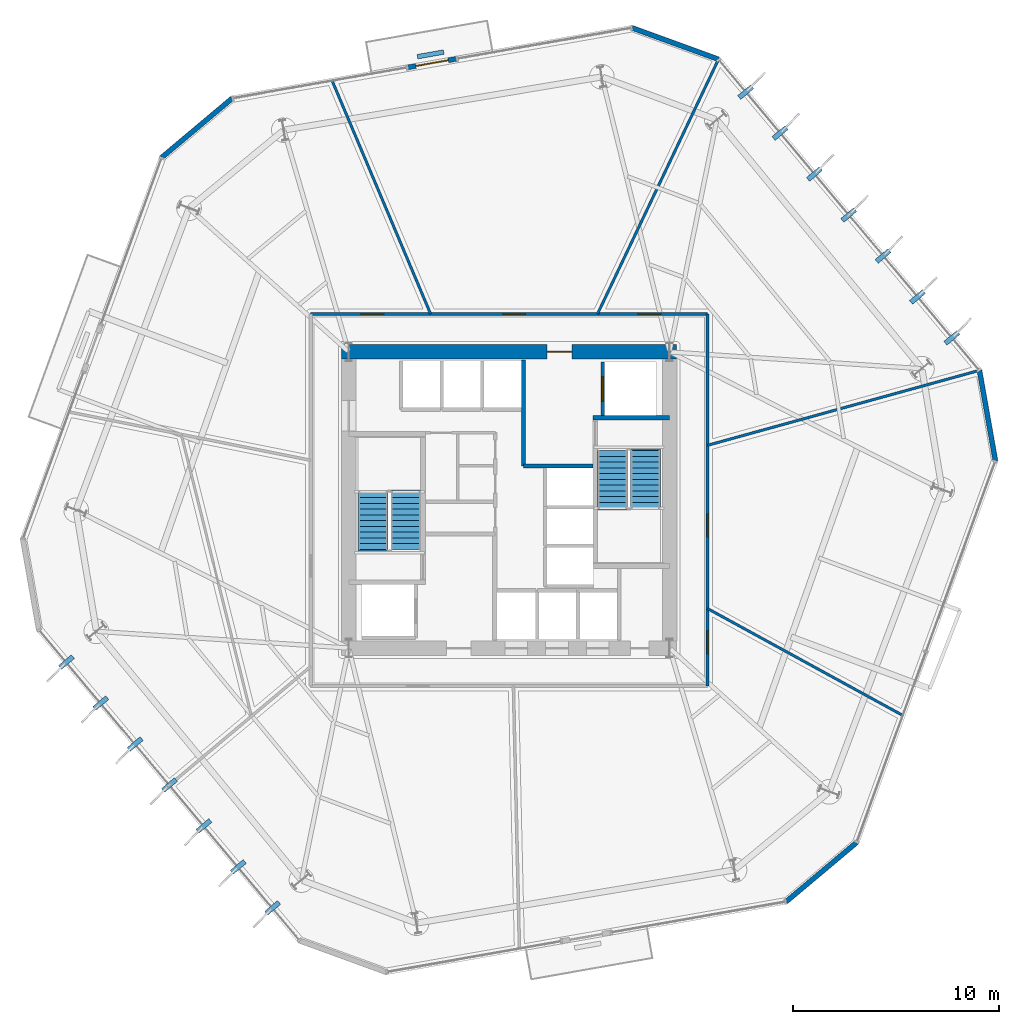
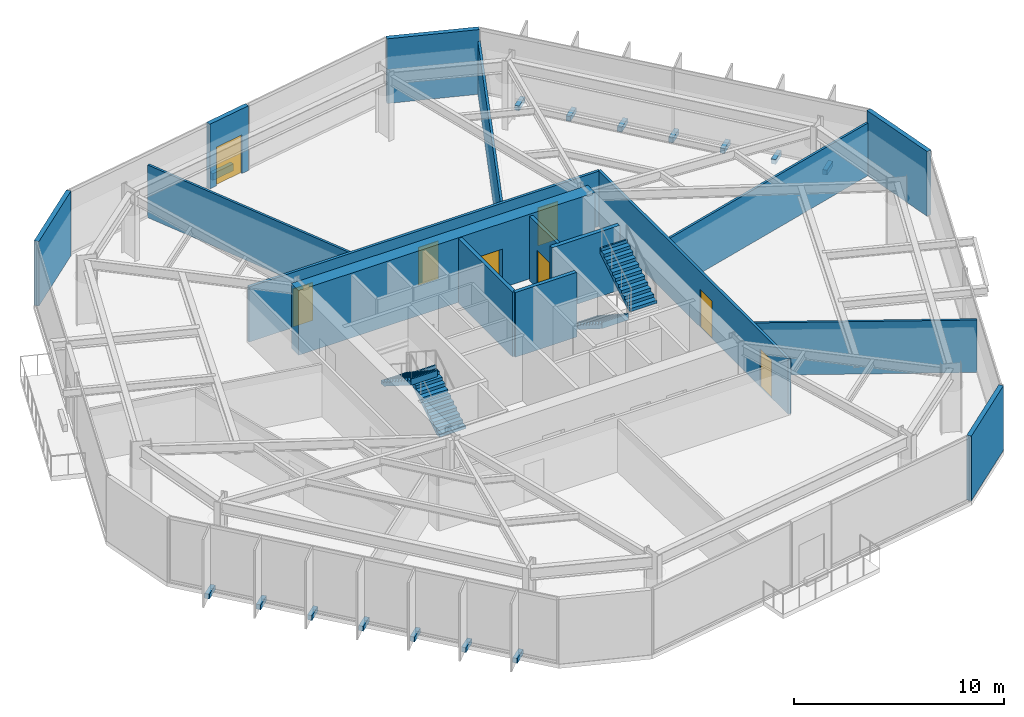
# One storey, part 7 of 10: 17 walls, 14 discrete accessories, 8 doors, 4 stair flights, 8 openings, 2 elements without a shape of their own.
"""IFC4 building model written with IfcOpenShell, lengths in metres."""

from ifc_helpers import new_model, si_unit, direction, frame, frame_2d, origin, origin_2d, place, context, subcontext, project, spatial, polyline, rectangle, outline, extrude, material, layer, layer_set, type_object, element, fill, aggregate, save


model = new_model("IFC4")

# Units and contexts
model_context = context("Model", 3, precision=1e-05, world=origin(), true_north=direction((0.0, 1.0)))
body_context = subcontext(model_context, "Body", "Model", "MODEL_VIEW")
ifc_project = project(units=[si_unit("LENGTHUNIT", "METRE"), si_unit("AREAUNIT", "SQUARE_METRE"), si_unit("VOLUMEUNIT", "CUBIC_METRE"), si_unit("PLANEANGLEUNIT", "RADIAN"), si_unit("MASSUNIT", "GRAM", prefix="KILO")], contexts=[model_context])

# Site, building, storey
site_placement = place(None, origin())
site = spatial("IfcSite", under=ifc_project, at=site_placement, CompositionType="ELEMENT")
building_placement = place(site_placement, origin())
building = spatial("IfcBuilding", under=site, at=building_placement, Name="Kranzbogen Civic Tower", CompositionType="ELEMENT")
storey_placement = place(building_placement, frame((0.0, 0.0, 60.0)))
storey = spatial("IfcBuildingStorey", under=building, at=storey_placement, Name="L14", CompositionType="ELEMENT", Elevation=60.0)

# Wall, openings, doors
ifc_material_1 = material(Name="Double-Stud Acoustic Gypsum Partition")
ifc_layer_1 = layer(ifc_material_1, 0.14990234375, Name="Double-Stud Acoustic Gypsum Partition")
ifc_layer_set_1 = layer_set([ifc_layer_1], Name="Double-Stud Acoustic Gypsum Partition")
wall_type_1 = type_object("IfcWallType", Name="Acoustic Corridor and Clinical Partition 150 mm", PredefinedType="PARTITIONING", material=ifc_layer_set_1)
wall_1_placement = place(storey_placement, frame((15.35009765625, 34.050048828125, 0.0), z_axis=(0.0, 0.0, 1.0), x_axis=(1.0, 0.0, 0.0)))
wall_1 = element("IfcWall", 1, at=wall_1_placement, inside=storey, type_object=wall_type_1, Name="L14 corridor partition 01", PredefinedType="PARTITIONING", context=body_context, shape_type="SweptSolid", body=[
    extrude(rectangle(XDim=19.2998046875, YDim=0.14990234375, at=frame_2d((9.64990234375, 0.0))), origin(), (0.0, 0.0, 1.0), 3.2099609375),
])
opening_1_placement = place(wall_1_placement, frame((15.909912109375, 0.0, 0.0)))
opening_1 = element("IfcOpeningElement", 2, at=opening_1_placement, cuts=wall_1, Name="Opening D-COR60", PredefinedType="OPENING", context=body_context, shape_type="SweptSolid", body=[
    extrude(rectangle(XDim=1.10009765625, YDim=2.199951171875, at=frame_2d((0.550048828125, 1.10009765625))), frame((0.0, 0.0849609375, 0.0), z_axis=(0.0, -1.0, 0.0), x_axis=(1.0, 0.0, 0.0)), (0.0, 0.0, 1.0), 0.169921875),
])
opening_2_placement = place(wall_1_placement, frame((9.342041015625, 0.0, 0.0)))
opening_2 = element("IfcOpeningElement", 3, at=opening_2_placement, cuts=wall_1, Name="Opening D-COR60", PredefinedType="OPENING", context=body_context, shape_type="SweptSolid", body=[
    extrude(rectangle(XDim=1.10009765625, YDim=2.199951171875, at=frame_2d((0.550048828125, 1.10009765625))), frame((0.0, 0.0849609375, 0.0), z_axis=(0.0, -1.0, 0.0), x_axis=(1.0, 0.0, 0.0)), (0.0, 0.0, 1.0), 0.169921875),
])
opening_3_placement = place(wall_1_placement, frame((2.444091796875, 0.0, 0.0)))
opening_3 = element("IfcOpeningElement", 4, at=opening_3_placement, cuts=wall_1, Name="Opening D-COR60", PredefinedType="OPENING", context=body_context, shape_type="SweptSolid", body=[
    extrude(rectangle(XDim=1.10009765625, YDim=2.199951171875, at=frame_2d((0.550048828125, 1.10009765625))), frame((0.0, 0.0849609375, 0.0), z_axis=(0.0, -1.0, 0.0), x_axis=(1.0, 0.0, 0.0)), (0.0, 0.0, 1.0), 0.169921875),
])
ifc_material_2 = material(Name="Oak Timber and Fire Core", Category="wood")
door_type_1 = type_object("IfcDoorType", Name="Corridor Acoustic Fire Door 1100x2200", OperationType="NOTDEFINED", PredefinedType="DOOR", material=ifc_material_2)
door_1_placement = place(opening_1_placement, origin())
door_1 = element("IfcDoor", 5, at=door_1_placement, inside=storey, type_object=door_type_1, Name="L14 Refreshment Galley Pantry door", OperationType="SINGLE_SWING_LEFT", OverallHeight=2.199951171875, OverallWidth=1.10009765625, PredefinedType="DOOR", context=body_context, shape_type="SweptSolid", body=[
    extrude(rectangle(XDim=1.10009765625, YDim=2.199951171875, at=frame_2d((0.550048828125, 1.10009765625))), frame((0.0, 0.02490234375, 0.0), z_axis=(0.0, -1.0, 0.0), x_axis=(1.0, 0.0, 0.0)), (0.0, 0.0, 1.0), 0.050048828125),
])
fill(opening_1, door_1)
door_2_placement = place(opening_2_placement, origin())
door_2 = element("IfcDoor", 6, at=door_2_placement, inside=storey, type_object=door_type_1, Name="L14 Operations Security Control Room door", OperationType="SINGLE_SWING_RIGHT", OverallHeight=2.199951171875, OverallWidth=1.10009765625, PredefinedType="DOOR", context=body_context, shape_type="SweptSolid", body=[
    extrude(rectangle(XDim=1.10009765625, YDim=2.199951171875, at=frame_2d((0.550048828125, 1.10009765625))), frame((0.0, 0.02490234375, 0.0), z_axis=(0.0, -1.0, 0.0), x_axis=(1.0, 0.0, 0.0)), (0.0, 0.0, 1.0), 0.050048828125),
])
fill(opening_2, door_2)
door_3_placement = place(opening_3_placement, origin())
door_3 = element("IfcDoor", 7, at=door_3_placement, inside=storey, type_object=door_type_1, Name="L14 Citizen Services Kiosk door", OperationType="SINGLE_SWING_LEFT", OverallHeight=2.199951171875, OverallWidth=1.10009765625, PredefinedType="DOOR", context=body_context, shape_type="SweptSolid", body=[
    extrude(rectangle(XDim=1.10009765625, YDim=2.199951171875, at=frame_2d((0.550048828125, 1.10009765625))), frame((0.0, 0.02490234375, 0.0), z_axis=(0.0, -1.0, 0.0), x_axis=(1.0, 0.0, 0.0)), (0.0, 0.0, 1.0), 0.050048828125),
])
fill(opening_3, door_3)

wall_2_placement = place(storey_placement, frame((34.64990234375, 34.050048828125, 0.0), z_axis=(0.0, 0.0, 1.0), x_axis=(0.0, -1.0, 0.0)))
wall_2 = element("IfcWall", 8, at=wall_2_placement, inside=storey, type_object=wall_type_1, Name="L14 corridor partition 02", PredefinedType="PARTITIONING", context=body_context, shape_type="SweptSolid", body=[
    extrude(rectangle(XDim=18.10009765625, YDim=0.14990234375, at=frame_2d((9.050048828125, 0.0))), origin(), (0.0, 0.0, 1.0), 3.2099609375),
])
opening_4_placement = place(wall_2_placement, frame((15.4150390625, 0.0, 0.0)))
opening_4 = element("IfcOpeningElement", 9, at=opening_4_placement, cuts=wall_2, Name="Opening D-COR60", PredefinedType="OPENING", context=body_context, shape_type="SweptSolid", body=[
    extrude(rectangle(XDim=1.10009765625, YDim=2.199951171875, at=frame_2d((0.550048828125, 1.10009765625))), frame((0.0, 0.0849609375, 0.0), z_axis=(0.0, -1.0, 0.0), x_axis=(1.0, 0.0, 0.0)), (0.0, 0.0, 1.0), 0.169921875),
])
opening_5_placement = place(wall_2_placement, frame((9.73193359375, 0.0, 0.0)))
opening_5 = element("IfcOpeningElement", 10, at=opening_5_placement, cuts=wall_2, Name="Opening D-COR60", PredefinedType="OPENING", context=body_context, shape_type="SweptSolid", body=[
    extrude(rectangle(XDim=1.10009765625, YDim=2.199951171875, at=frame_2d((0.550048828125, 1.10009765625))), frame((0.0, 0.0849609375, 0.0), z_axis=(0.0, -1.0, 0.0), x_axis=(1.0, 0.0, 0.0)), (0.0, 0.0, 1.0), 0.169921875),
])
door_4_placement = place(opening_4_placement, origin())
door_4 = element("IfcDoor", 11, at=door_4_placement, inside=storey, type_object=door_type_1, Name="L14 Staff Tea Pantry door", OperationType="SINGLE_SWING_LEFT", OverallHeight=2.199951171875, OverallWidth=1.10009765625, PredefinedType="DOOR", context=body_context, shape_type="SweptSolid", body=[
    extrude(rectangle(XDim=1.10009765625, YDim=2.199951171875, at=frame_2d((0.550048828125, 1.10009765625))), frame((0.0, 0.02490234375, 0.0), z_axis=(0.0, -1.0, 0.0), x_axis=(1.0, 0.0, 0.0)), (0.0, 0.0, 1.0), 0.050048828125),
])
fill(opening_4, door_4)
door_5_placement = place(opening_5_placement, origin())
door_5 = element("IfcDoor", 12, at=door_5_placement, inside=storey, type_object=door_type_1, Name="L14 Hospitality Catering Kitchen door", OperationType="SINGLE_SWING_RIGHT", OverallHeight=2.199951171875, OverallWidth=1.10009765625, PredefinedType="DOOR", context=body_context, shape_type="SweptSolid", body=[
    extrude(rectangle(XDim=1.10009765625, YDim=2.199951171875, at=frame_2d((0.550048828125, 1.10009765625))), frame((0.0, 0.02490234375, 0.0), z_axis=(0.0, -1.0, 0.0), x_axis=(1.0, 0.0, 0.0)), (0.0, 0.0, 1.0), 0.050048828125),
])
fill(opening_5, door_5)

# Walls
ifc_material_3 = material(Name="Insulated Metal-Stud Gypsum Partition")
ifc_layer_2 = layer(ifc_material_3, 0.125, Name="Insulated Metal-Stud Gypsum Partition")
ifc_layer_set_2 = layer_set([ifc_layer_2], Name="Insulated Metal-Stud Gypsum Partition")
wall_type_2 = type_object("IfcWallType", Name="Acoustic Inter-Room Partition 125 mm", PredefinedType="PARTITIONING", material=ifc_layer_set_2)
wall_3_placement = place(storey_placement, frame((29.299072265625, 34.050048828125, 0.0), z_axis=(0.0, 0.0, 1.0), x_axis=(0.429120489577, 0.903247255974, 0.0)))
element("IfcWall", 13, at=wall_3_placement, inside=storey, type_object=wall_type_2, Name="L14 radial room partition 01", PredefinedType="PARTITIONING", context=body_context, shape_type="SweptSolid", body=[
    extrude(rectangle(XDim=13.686279296875, YDim=0.125, at=frame_2d((6.84326171875, 0.0))), origin(), (0.0, 0.0, 1.0), 3.06005859375),
])
wall_4_placement = place(storey_placement, frame((21.178955078125, 34.050048828125, 0.0), z_axis=(0.0, 0.0, 1.0), x_axis=(-0.388906837938, 0.921277087203, 0.0)))
element("IfcWall", 14, at=wall_4_placement, inside=storey, type_object=wall_type_2, Name="L14 radial room partition 02", PredefinedType="PARTITIONING", context=body_context, shape_type="SweptSolid", body=[
    extrude(rectangle(XDim=12.288330078125, YDim=0.125, at=frame_2d((6.14404296875, 0.0))), origin(), (0.0, 0.0, 1.0), 3.06005859375),
])
wall_5_placement = place(storey_placement, frame((34.64990234375, 19.718994140625, 0.0), z_axis=(0.0, 0.0, 1.0), x_axis=(0.877226333311, -0.480077035637, 0.0)))
element("IfcWall", 15, at=wall_5_placement, inside=storey, type_object=wall_type_2, Name="L14 radial room partition 06", PredefinedType="PARTITIONING", context=body_context, shape_type="SweptSolid", body=[
    extrude(rectangle(XDim=10.804443359375, YDim=0.125, at=frame_2d((5.40234375, 0.0))), origin(), (0.0, 0.0, 1.0), 3.050048828125),
])
wall_6_placement = place(storey_placement, frame((34.64990234375, 27.659912109375, 0.0), z_axis=(0.0, 0.0, 1.0), x_axis=(0.964045235062, 0.265738188362, 0.0)))
element("IfcWall", 16, at=wall_6_placement, inside=storey, type_object=wall_type_2, Name="L14 radial room partition 07", PredefinedType="PARTITIONING", context=body_context, shape_type="SweptSolid", body=[
    extrude(rectangle(XDim=13.694580078125, YDim=0.125, at=frame_2d((6.84716796875, 0.0))), origin(), (0.0, 0.0, 1.0), 3.06005859375),
])
ifc_material_4 = material(Name="Architectural Precast Terracotta Concrete C40/50", Category="masonry")
ifc_layer_3 = layer(ifc_material_4, 0.219970703125, Name="Architectural Precast Terracotta Concrete C40/50")
ifc_layer_set_3 = layer_set([ifc_layer_3], Name="Architectural Precast Terracotta Concrete C40/50")
wall_type_3 = type_object("IfcWallType", Name="Architectural Tree Planter Kerb Wall 220 mm", PredefinedType="USERDEFINED", material=ifc_layer_set_3)
wall_7_placement = place(storey_placement, frame((21.819091796875, 46.782958984375, 0.0), z_axis=(0.0, 0.0, 1.0), x_axis=(-0.98475896803, -0.173924624146, 0.0)))
element("IfcWall", 17, at=wall_7_placement, inside=storey, type_object=wall_type_3, Name="L14 landscaped tree balcony planter L14-TB2", ObjectType="PLANTER_WALL", PredefinedType="USERDEFINED", context=body_context, shape_type="SweptSolid", body=[
    extrude(rectangle(XDim=1.2998046875, YDim=0.219970703125, at=frame_2d((0.64990234375, 0.0))), origin(), (0.0, 0.0, 1.0), 0.39990234375),
])

# Wall, opening, door
ifc_material_5 = material(Name="Concrete C55/67", Category="concrete")
ifc_layer_4 = layer(ifc_material_5, 0.699951171875, Name="Concrete C55/67")
ifc_layer_set_4 = layer_set([ifc_layer_4], Name="Concrete C55/67")
wall_type_4 = type_object("IfcWallType", Name="Central Core Shear Wall 700 mm", PredefinedType="SHEAR", material=ifc_layer_set_4)
wall_8_placement = place(storey_placement, frame((33.14990234375, 32.199951171875, 0.0), z_axis=(0.0, 0.0, 1.0), x_axis=(-1.0, 0.0, 0.0)))
wall_8 = element("IfcWall", 18, at=wall_8_placement, inside=storey, type_object=wall_type_4, Name="L14 central core North shear wall", PredefinedType="SHEAR", context=body_context, shape_type="SweptSolid", body=[
    extrude(rectangle(XDim=16.2998046875, YDim=0.699951171875, at=frame_2d((8.14990234375, 0.0))), origin(), (0.0, 0.0, 1.0), 3.760009765625),
])
opening_6_placement = place(wall_8_placement, frame((5.10009765625, 0.0, 0.0)))
opening_6 = element("IfcOpeningElement", 19, at=opening_6_placement, cuts=wall_8, Name="Opening D-EX120", PredefinedType="OPENING", context=body_context, shape_type="SweptSolid", body=[
    extrude(rectangle(XDim=1.199951171875, YDim=2.25, at=frame_2d((0.60009765625, 1.125))), frame((0.0, 0.35986328125, 0.0), z_axis=(0.0, -1.0, 0.0), x_axis=(1.0, 0.0, 0.0)), (0.0, 0.0, 1.0), 0.719970703125),
])
ifc_material_6 = material(Name="Steel S355", Category="steel")
door_type_2 = type_object("IfcDoorType", Name="Exit Passageway Fire Door 1200x2250", OperationType="NOTDEFINED", PredefinedType="DOOR", material=ifc_material_6)
door_6_placement = place(opening_6_placement, origin())
door_6 = element("IfcDoor", 20, at=door_6_placement, inside=storey, type_object=door_type_2, Name="L14 East firefighting lobby corridor door", OperationType="SINGLE_SWING_RIGHT", OverallHeight=2.25, OverallWidth=1.199951171875, PredefinedType="DOOR", context=body_context, shape_type="SweptSolid", body=[
    extrude(rectangle(XDim=1.199951171875, YDim=2.25, at=frame_2d((0.60009765625, 1.125))), frame((0.0, 0.02490234375, 0.0), z_axis=(0.0, -1.0, 0.0), x_axis=(1.0, 0.0, 0.0)), (0.0, 0.0, 1.0), 0.050048828125),
])
fill(opening_6, door_6)

# Walls
ifc_material_7 = material(Name="Concrete C45/55", Category="concrete")
ifc_layer_5 = layer(ifc_material_7, 0.219970703125, Name="Concrete C45/55")
ifc_layer_set_5 = layer_set([ifc_layer_5], Name="Concrete C45/55")
wall_type_5 = type_object("IfcWallType", Name="Core Internal Stair Structural Wall 220 mm", PredefinedType="SOLIDWALL", material=ifc_layer_set_5)
wall_9_placement = place(storey_placement, frame((29.080078125, 29.010009765625, 0.0), z_axis=(0.0, 0.0, 1.0), x_axis=(1.0, 0.0, 0.0)))
element("IfcWall", 21, at=wall_9_placement, inside=storey, type_object=wall_type_5, Name="L14 ST-T2 North structural stair wall", PredefinedType="SOLIDWALL", context=body_context, shape_type="SweptSolid", body=[
    extrude(rectangle(XDim=3.719970703125, YDim=0.219970703125, at=frame_2d((1.85986328125, 0.0))), origin(), (0.0, 0.0, 1.0), 3.760009765625),
])
ifc_material_8 = material(Name="Gypsum Fireboard and Concrete Block", Category="concrete")
ifc_layer_6 = layer(ifc_material_8, 0.199951171875, Name="Gypsum Fireboard and Concrete Block")
ifc_layer_set_6 = layer_set([ifc_layer_6], Name="Gypsum Fireboard and Concrete Block")
wall_type_6 = type_object("IfcWallType", Name="Fire-Rated Exit Passageway and Stair Wall 200 mm", PredefinedType="PARTITIONING", material=ifc_layer_set_6)
wall_10_placement = place(storey_placement, frame((25.699951171875, 26.64990234375, 0.0), z_axis=(0.0, 0.0, 1.0), x_axis=(0.0, 1.0, 0.0)))
element("IfcWall", 22, at=wall_10_placement, inside=storey, type_object=wall_type_6, Name="L14 East firefighting lobby West wall", PredefinedType="PARTITIONING", context=body_context, shape_type="SweptSolid", body=[
    extrude(rectangle(XDim=5.150146484375, YDim=0.199951171875, at=frame_2d((2.5751953125, 0.0))), origin(), (0.0, 0.0, 1.0), 3.760009765625),
])
wall_11_placement = place(storey_placement, frame((25.699951171875, 26.64990234375, 0.0), z_axis=(0.0, 0.0, 1.0), x_axis=(1.0, 0.0, 0.0)))
element("IfcWall", 23, at=wall_11_placement, inside=storey, type_object=wall_type_6, Name="L14 East firefighting lobby South wall", PredefinedType="PARTITIONING", context=body_context, shape_type="SweptSolid", body=[
    extrude(rectangle(XDim=3.380126953125, YDim=0.199951171875, at=frame_2d((1.68994140625, 0.0))), origin(), (0.0, 0.0, 1.0), 3.760009765625),
])

# Wall, opening, door
ifc_material_9 = material(Name="Gypsum Fireboard Shaftliner")
ifc_layer_7 = layer(ifc_material_9, 0.175048828125, Name="Gypsum Fireboard Shaftliner")
ifc_layer_set_7 = layer_set([ifc_layer_7], Name="Gypsum Fireboard Shaftliner")
wall_type_7 = type_object("IfcWallType", Name="Fire-Rated Lift and Service Shaft Wall 175 mm", PredefinedType="PARTITIONING", material=ifc_layer_set_7)
wall_12_placement = place(storey_placement, frame((29.550048828125, 29.10009765625, 0.0), z_axis=(0.0, 0.0, 1.0), x_axis=(0.0, 1.0, 0.0)))
wall_12 = element("IfcWall", 24, at=wall_12_placement, inside=storey, type_object=wall_type_7, Name="L14 lift FF-02 landing wall", PredefinedType="PARTITIONING", context=body_context, shape_type="SweptSolid", body=[
    extrude(rectangle(XDim=2.599853515625, YDim=0.175048828125, at=frame_2d((1.2998046875, 0.0))), origin(), (0.0, 0.0, 1.0), 3.760009765625),
])
opening_7_placement = place(wall_12_placement, frame((0.699951171875, 0.0, 0.0)))
opening_7 = element("IfcOpeningElement", 25, at=opening_7_placement, cuts=wall_12, Name="Opening LD-FF-02", PredefinedType="OPENING", context=body_context, shape_type="SweptSolid", body=[
    extrude(rectangle(XDim=1.199951171875, YDim=2.199951171875, at=frame_2d((0.60009765625, 1.10009765625))), frame((0.0, 0.09765625, 0.0), z_axis=(0.0, -1.0, 0.0), x_axis=(1.0, 0.0, 0.0)), (0.0, 0.0, 1.0), 0.195068359375),
])
ifc_material_10 = material(Name="Pale Anodised Aluminium", Category="aluminium")
door_type_3 = type_object("IfcDoorType", Name="Firefighting and Stretcher Lift Sliding Landing Door 1200x2200", OperationType="DOUBLE_DOOR_SLIDING", PredefinedType="DOOR", material=ifc_material_10)
door_7_placement = place(opening_7_placement, origin())
door_7 = element("IfcDoor", 26, at=door_7_placement, inside=storey, type_object=door_type_3, Name="L14 lift FF-02 sliding landing door", OperationType="DOUBLE_DOOR_SLIDING", OverallHeight=2.199951171875, OverallWidth=1.199951171875, PredefinedType="DOOR", context=body_context, shape_type="SweptSolid", body=[
    extrude(rectangle(XDim=1.199951171875, YDim=2.199951171875, at=frame_2d((0.60009765625, 1.10009765625))), frame((0.0, 0.02490234375, 0.0), z_axis=(0.0, -1.0, 0.0), x_axis=(1.0, 0.0, 0.0)), (0.0, 0.0, 1.0), 0.050048828125),
])
fill(opening_7, door_7)

# Wall
ifc_layer_8 = layer(ifc_material_10, 0.239990234375, Name="Pale Anodised Aluminium")
ifc_layer_set_8 = layer_set([ifc_layer_8], Name="Pale Anodised Aluminium")
wall_type_8 = type_object("IfcWallType", Name="Insulated Aluminium Facade Portal Wall 240 mm", PredefinedType="STANDARD", material=ifc_layer_set_8)
wall_13_placement = place(storey_placement, frame((35.179931640625, 46.429931640625, 0.0), z_axis=(0.0, 0.0, 1.0), x_axis=(-0.939696189387, 0.342010338515, 0.0)))
element("IfcWall", 27, at=wall_13_placement, inside=storey, type_object=wall_type_8, Name="L14 chamfered corner facade spandrel 1", PredefinedType="STANDARD", context=body_context, shape_type="SweptSolid", body=[
    extrude(rectangle(XDim=4.4736328125, YDim=0.239990234375, at=frame_2d((2.23681640625, 0.0))), origin(), (0.0, 0.0, 1.0), 3.760009765625),
])

# Wall, opening, door
wall_14_placement = place(storey_placement, frame((22.43603515625, 46.4541015625, 0.0), z_axis=(0.0, 0.0, 1.0), x_axis=(-0.984796866145, -0.173709908848, 0.0)))
wall_14 = element("IfcWall", 28, at=wall_14_placement, inside=storey, type_object=wall_type_8, Name="L14 exterior entrance portal wall 1", PredefinedType="STANDARD", context=body_context, shape_type="SweptSolid", body=[
    extrude(rectangle(XDim=2.400390625, YDim=0.239990234375, at=frame_2d((1.2001953125, 0.0))), origin(), (0.0, 0.0, 1.0), 3.760009765625),
])
opening_8_placement = place(wall_14_placement, frame((0.39990234375, 0.0, 0.0)))
opening_8 = element("IfcOpeningElement", 29, at=opening_8_placement, cuts=wall_14, Name="Opening D-TER", PredefinedType="OPENING", context=body_context, shape_type="SweptSolid", body=[
    extrude(rectangle(XDim=1.60009765625, YDim=2.25, at=frame_2d((0.800048828125, 1.125))), frame((0.0, 0.1298828125, 0.0), z_axis=(0.0, -1.0, 0.0), x_axis=(1.0, 0.0, 0.0)), (0.0, 0.0, 1.0), 0.260009765625),
])
ifc_material_11 = material(Name="Anodised Bronze and Triple Glass", Category="glass")
door_type_4 = type_object("IfcDoorType", Name="Glazed Terrace and Balcony Double Door 1600x2250", OperationType="DOUBLE_DOOR_SINGLE_SWING", PredefinedType="DOOR", material=ifc_material_11)
door_8_placement = place(opening_8_placement, frame((1.60009765625, 0.0, 0.0), z_axis=(0.0, 0.0, 1.0), x_axis=(-1.0, 0.0, 0.0)))
door_8 = element("IfcDoor", 30, at=door_8_placement, inside=storey, type_object=door_type_4, Name="L14 tree balcony access door L14-TB2", OperationType="DOUBLE_DOOR_SINGLE_SWING", OverallHeight=2.25, OverallWidth=1.60009765625, PredefinedType="DOOR", context=body_context, shape_type="SweptSolid", body=[
    extrude(rectangle(XDim=1.60009765625, YDim=2.25, at=frame_2d((0.800048828125, 1.125))), frame((0.0, 0.02490234375, 0.0), z_axis=(0.0, -1.0, 0.0), x_axis=(1.0, 0.0, 0.0)), (0.0, 0.0, 1.0), 0.050048828125),
])
fill(opening_8, door_8)

# Walls
for number, where, z_axis, x_axis, name in (
    (31, (11.531005859375, 44.531005859375, 0.0), (0.0, 0.0, 1.0), (-0.765912339195, -0.642945012166, 0.0), "L14 chamfered corner facade spandrel 2"),
    (32, (38.468994140625, 5.468994140625, 0.0), (0.0, 0.0, 1.0), (0.765912339195, 0.642945012166, 0.0), "L14 chamfered corner facade spandrel 5"),
):
    element("IfcWall", number, at=place(storey_placement, frame(where, z_axis=z_axis, x_axis=x_axis)), inside=storey, type_object=wall_type_8, Name=name, PredefinedType="STANDARD", context=body_context, shape_type="SweptSolid", body=[
        extrude(rectangle(XDim=4.47314453125, YDim=0.239990234375, at=frame_2d((2.236572265625, 0.0))), origin(), (0.0, 0.0, 1.0), 3.760009765625),
    ])
wall_15_placement = place(storey_placement, frame((48.64794921875, 26.89892578125, 0.0), z_axis=(0.0, 0.0, 1.0), x_axis=(-0.173676354246, 0.984802784305, 0.0)))
element("IfcWall", 33, at=wall_15_placement, inside=storey, type_object=wall_type_8, Name="L14 chamfered corner facade spandrel 6", PredefinedType="STANDARD", context=body_context, shape_type="SweptSolid", body=[
    extrude(rectangle(XDim=4.472900390625, YDim=0.239990234375, at=frame_2d((2.236328125, 0.0))), origin(), (0.0, 0.0, 1.0), 3.760009765625),
])

# Stair, stair flights
ifc_material_12 = material(Name="Precast concrete C40/50", Category="concrete")
stair_type_1 = type_object("IfcStairType", Name="Tower Core Pressurized Dogleg Stair 1450", PredefinedType="HALF_TURN_STAIR", material=ifc_material_12)
stair_1_placement = place(storey_placement, origin())
stair_1 = element("IfcStair", 34, at=stair_1_placement, inside=storey, type_object=stair_type_1, Name="L14 Tower Core Pressurized Stair 1", PredefinedType="HALF_TURN_STAIR")
stair_flight_type = type_object("IfcStairFlightType", Name="Precast Concrete Stair Flight R180", PredefinedType="STRAIGHT", material=ifc_material_12)
stair_flight_1_placement = place(storey_placement, frame((19.97509765625, 22.60009765625, 0.0), z_axis=(0.0, 0.0, 1.0), x_axis=(0.0, 1.0, 0.0)))
stair_flight_1 = element("IfcStairFlight", 35, at=stair_flight_1_placement, type_object=stair_flight_type, Name="ST-T1 flight 1", NumberOfRisers=11, NumberOfTreads=10, PredefinedType="STRAIGHT", RiserHeight=0.181818182, TreadLength=0.28, context=body_context, shape_type="SweptSolid", body=[
    extrude(outline(polyline([(0.0, 0.0), (0.0, 0.181884765625), (0.280029296875, 0.181884765625), (0.280029296875, 0.363525390625), (0.56005859375, 0.363525390625), (0.56005859375, 0.54541015625), (0.840087890625, 0.54541015625), (0.840087890625, 0.727294921875), (1.1201171875, 0.727294921875), (1.1201171875, 0.9091796875), (1.39990234375, 0.9091796875), (1.39990234375, 1.0908203125), (1.679931640625, 1.0908203125), (1.679931640625, 1.272705078125), (1.9599609375, 1.272705078125), (1.9599609375, 1.45458984375), (2.239990234375, 1.45458984375), (2.239990234375, 1.636474609375), (2.52001953125, 1.636474609375), (2.52001953125, 1.818115234375), (2.800048828125, 1.818115234375), (2.800048828125, 2.0), (2.880126953125, 2.0), (2.880126953125, 1.639404296875), (0.275146484375, 0.0), (0.0, 0.0)])), frame((0.0, 0.72509765625, 0.0), z_axis=(0.0, -1.0, 0.0), x_axis=(1.0, 0.0, 0.0)), (0.0, 0.0, 1.0), 1.449951171875),
])
stair_flight_2_placement = place(storey_placement, frame((18.375, 25.39990234375, 2.0), z_axis=(0.0, 0.0, 1.0), x_axis=(0.0, -1.0, 0.0)))
stair_flight_2 = element("IfcStairFlight", 36, at=stair_flight_2_placement, type_object=stair_flight_type, Name="ST-T1 flight 2", NumberOfRisers=11, NumberOfTreads=10, PredefinedType="STRAIGHT", RiserHeight=0.181818182, TreadLength=0.28, context=body_context, shape_type="SweptSolid", body=[
    extrude(outline(polyline([(0.0, 0.0), (0.0, 0.181884765625), (0.280029296875, 0.181884765625), (0.280029296875, 0.363525390625), (0.56005859375, 0.363525390625), (0.56005859375, 0.54541015625), (0.840087890625, 0.54541015625), (0.840087890625, 0.727294921875), (1.1201171875, 0.727294921875), (1.1201171875, 0.9091796875), (1.39990234375, 0.9091796875), (1.39990234375, 1.0908203125), (1.679931640625, 1.0908203125), (1.679931640625, 1.272705078125), (1.9599609375, 1.272705078125), (1.9599609375, 1.45458984375), (2.239990234375, 1.45458984375), (2.239990234375, 1.636474609375), (2.52001953125, 1.636474609375), (2.52001953125, 1.818115234375), (2.800048828125, 1.818115234375), (2.800048828125, 2.0), (2.880126953125, 2.0), (2.880126953125, 1.639404296875), (0.275146484375, 0.0), (0.0, 0.0)])), frame((0.0, 0.72509765625, 0.0), z_axis=(0.0, -1.0, 0.0), x_axis=(1.0, 0.0, 0.0)), (0.0, 0.0, 1.0), 1.449951171875),
])
aggregate(stair_1, [stair_flight_1, stair_flight_2])

stair_type_2 = type_object("IfcStairType", Name="Tower Core Secondary Dogleg Stair 1450", PredefinedType="HALF_TURN_STAIR", material=ifc_material_12)
stair_2_placement = place(storey_placement, origin())
stair_2 = element("IfcStair", 37, at=stair_2_placement, inside=storey, type_object=stair_type_2, Name="L14 Tower Core Pressurized Stair 2", PredefinedType="HALF_TURN_STAIR")
stair_flight_3_placement = place(storey_placement, frame((30.02490234375, 27.39990234375, 0.0), z_axis=(0.0, 0.0, 1.0), x_axis=(0.0, -1.0, 0.0)))
stair_flight_3 = element("IfcStairFlight", 38, at=stair_flight_3_placement, type_object=stair_flight_type, Name="ST-T2 flight 1", NumberOfRisers=11, NumberOfTreads=10, PredefinedType="STRAIGHT", RiserHeight=0.181818182, TreadLength=0.28, context=body_context, shape_type="SweptSolid", body=[
    extrude(outline(polyline([(0.0, 0.0), (0.0, 0.181884765625), (0.280029296875, 0.181884765625), (0.280029296875, 0.363525390625), (0.56005859375, 0.363525390625), (0.56005859375, 0.54541015625), (0.840087890625, 0.54541015625), (0.840087890625, 0.727294921875), (1.1201171875, 0.727294921875), (1.1201171875, 0.9091796875), (1.39990234375, 0.9091796875), (1.39990234375, 1.0908203125), (1.679931640625, 1.0908203125), (1.679931640625, 1.272705078125), (1.9599609375, 1.272705078125), (1.9599609375, 1.45458984375), (2.239990234375, 1.45458984375), (2.239990234375, 1.636474609375), (2.52001953125, 1.636474609375), (2.52001953125, 1.818115234375), (2.800048828125, 1.818115234375), (2.800048828125, 2.0), (2.880126953125, 2.0), (2.880126953125, 1.639404296875), (0.275146484375, 0.0), (0.0, 0.0)])), frame((0.0, 0.72509765625, 0.0), z_axis=(0.0, -1.0, 0.0), x_axis=(1.0, 0.0, 0.0)), (0.0, 0.0, 1.0), 1.449951171875),
])
stair_flight_4_placement = place(storey_placement, frame((31.625, 24.60009765625, 2.0), z_axis=(0.0, 0.0, 1.0), x_axis=(0.0, 1.0, 0.0)))
stair_flight_4 = element("IfcStairFlight", 39, at=stair_flight_4_placement, type_object=stair_flight_type, Name="ST-T2 flight 2", NumberOfRisers=11, NumberOfTreads=10, PredefinedType="STRAIGHT", RiserHeight=0.181818182, TreadLength=0.28, context=body_context, shape_type="SweptSolid", body=[
    extrude(outline(polyline([(0.0, 0.0), (0.0, 0.181884765625), (0.280029296875, 0.181884765625), (0.280029296875, 0.363525390625), (0.56005859375, 0.363525390625), (0.56005859375, 0.54541015625), (0.840087890625, 0.54541015625), (0.840087890625, 0.727294921875), (1.1201171875, 0.727294921875), (1.1201171875, 0.9091796875), (1.39990234375, 0.9091796875), (1.39990234375, 1.0908203125), (1.679931640625, 1.0908203125), (1.679931640625, 1.272705078125), (1.9599609375, 1.272705078125), (1.9599609375, 1.45458984375), (2.239990234375, 1.45458984375), (2.239990234375, 1.636474609375), (2.52001953125, 1.636474609375), (2.52001953125, 1.818115234375), (2.800048828125, 1.818115234375), (2.800048828125, 2.0), (2.880126953125, 2.0), (2.880126953125, 1.639404296875), (0.275146484375, 0.0), (0.0, 0.0)])), frame((0.0, 0.72509765625, 0.0), z_axis=(0.0, -1.0, 0.0), x_axis=(1.0, 0.0, 0.0)), (0.0, 0.0, 1.0), 1.449951171875),
])
aggregate(stair_2, [stair_flight_3, stair_flight_4])

# Discrete accessories
discrete_accessory_type = type_object("IfcDiscreteAccessoryType", Name="Structural Curtain-Wall Fin Support Bracket", PredefinedType="BRACKET", material=ifc_material_6)
for number, where, z_axis, x_axis, name in (
    (40, (46.529052734375, 32.883056640625, -0.25), (0.0, 0.0, 1.0), (0.766044443119, 0.642787609687, 0.0), "L14 facade fin support bracket F1-1"),
    (41, (44.85791015625, 34.875, -0.25), (0.0, 0.0, 1.0), (0.766044443119, 0.642787609687, 0.0), "L14 facade fin support bracket F1-2"),
    (42, (43.18701171875, 36.866943359375, -0.25), (0.0, 0.0, 1.0), (0.766044443119, 0.642787609687, 0.0), "L14 facade fin support bracket F1-3"),
    (43, (41.51611328125, 38.85888671875, -0.25), (0.0, 0.0, 1.0), (0.766044443119, 0.642787609687, 0.0), "L14 facade fin support bracket F1-4"),
    (44, (39.844970703125, 40.85009765625, -0.25), (0.0, 0.0, 1.0), (0.766044443119, 0.642787609687, 0.0), "L14 facade fin support bracket F1-5"),
    (45, (38.173095703125, 42.842041015625, -0.25), (0.0, 0.0, 1.0), (0.766044443119, 0.642787609687, 0.0), "L14 facade fin support bracket F1-6"),
    (46, (36.501953125, 44.833984375, -0.25), (0.0, 0.0, 1.0), (0.766044443119, 0.642787609687, 0.0), "L14 facade fin support bracket F1-7"),
    (47, (3.470947265625, 17.116943359375, -0.25), (0.0, 0.0, 1.0), (-0.766044443119, -0.642787609687, 0.0), "L14 facade fin support bracket F4-1"),
    (48, (5.14208984375, 15.125, -0.25), (0.0, 0.0, 1.0), (-0.766044443119, -0.642787609687, 0.0), "L14 facade fin support bracket F4-2"),
    (49, (6.81298828125, 13.133056640625, -0.25), (0.0, 0.0, 1.0), (-0.766044443119, -0.642787609687, 0.0), "L14 facade fin support bracket F4-3"),
    (50, (8.48388671875, 11.14111328125, -0.25), (0.0, 0.0, 1.0), (-0.766044443119, -0.642787609687, 0.0), "L14 facade fin support bracket F4-4"),
    (51, (10.155029296875, 9.14990234375, -0.25), (0.0, 0.0, 1.0), (-0.766044443119, -0.642787609687, 0.0), "L14 facade fin support bracket F4-5"),
    (52, (11.826904296875, 7.157958984375, -0.25), (0.0, 0.0, 1.0), (-0.766044443119, -0.642787609687, 0.0), "L14 facade fin support bracket F4-6"),
    (53, (13.498046875, 5.166015625, -0.25), (0.0, 0.0, 1.0), (-0.766044443119, -0.642787609687, 0.0), "L14 facade fin support bracket F4-7"),
):
    element("IfcDiscreteAccessory", number, at=place(storey_placement, frame(where, z_axis=z_axis, x_axis=x_axis)), inside=storey, type_object=discrete_accessory_type, Name=name, PredefinedType="BRACKET", context=body_context, shape_type="SweptSolid", body=[
        extrude(rectangle(XDim=0.820068359375, YDim=0.239990234375, at=origin_2d()), origin(), (0.0, 0.0, 1.0), 0.280029296875),
    ])

save(model, "model.ifc")
